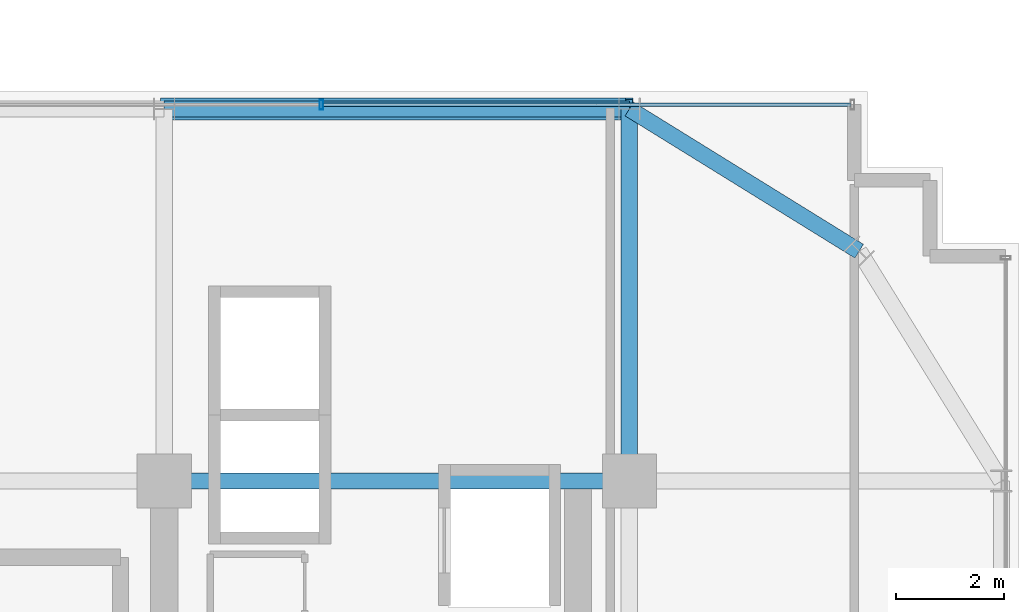
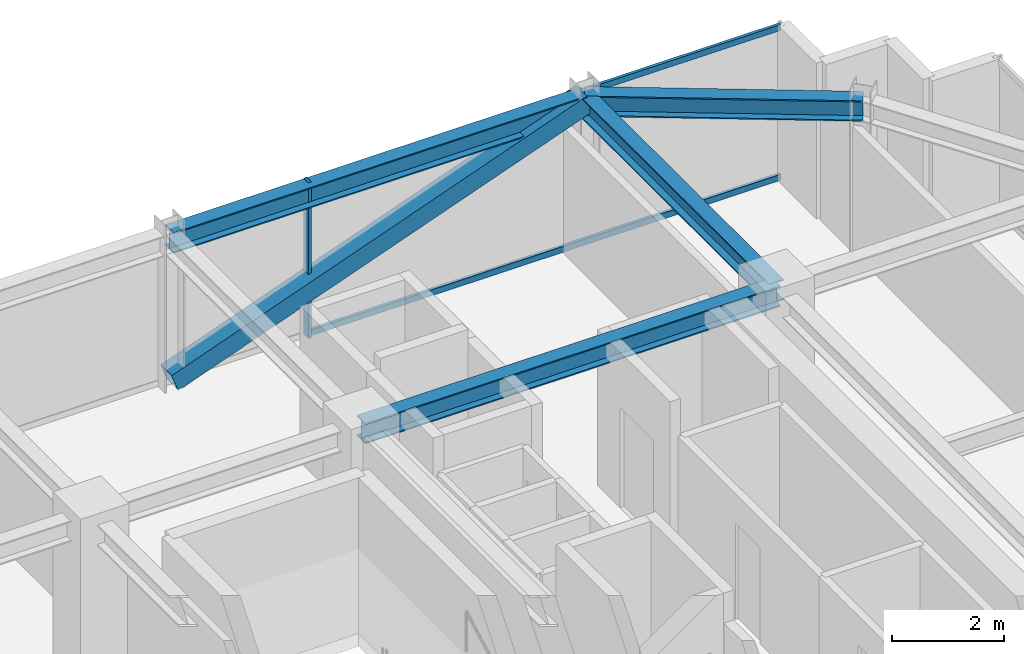
# One storey, part 25 of 36: 4 beams, 4 members, 1 element without a shape of its own.
"""IFC4 building model written with IfcOpenShell, lengths in metres."""

from ifc_helpers import new_model, si_unit, direction, frame, origin, origin_2d, place, context, subcontext, project, spatial, hollow_rectangle, i_section, extrude, source, transform, mapped, material, material_profile, profile_set, type_object, element, aggregate, save


model = new_model("IFC4")

# Units and contexts
model_context = context("Model", 3, precision=1e-05, world=origin(), true_north=direction((0.0, 1.0)))
body_context = subcontext(model_context, "Body", "Model", "MODEL_VIEW")
ifc_project = project(units=[si_unit("LENGTHUNIT", "METRE"), si_unit("AREAUNIT", "SQUARE_METRE"), si_unit("VOLUMEUNIT", "CUBIC_METRE"), si_unit("PLANEANGLEUNIT", "RADIAN"), si_unit("MASSUNIT", "GRAM", prefix="KILO")], contexts=[model_context])

# Site, building, storey
site_placement = place(None, origin())
site = spatial("IfcSite", under=ifc_project, at=site_placement, CompositionType="ELEMENT")
building_placement = place(site_placement, origin())
building = spatial("IfcBuilding", under=site, at=building_placement, Name="Nahalor Promenade Grand Hotel", CompositionType="ELEMENT")
storey_placement = place(building_placement, frame((0.0, 0.0, 212.300048828125)))
storey = spatial("IfcBuildingStorey", under=building, at=storey_placement, Name="L54", CompositionType="ELEMENT", Elevation=212.300048828125)

# Beams
ifc_material_1 = material(Name="Steel S355JR", Category="steel")
ifc_material_profile_1 = material_profile(ifc_material_1, i_section(OverallWidth=0.3, OverallDepth=0.45, WebThickness=0.014, FlangeThickness=0.026, at=origin_2d()), Name="HEB 450")
ifc_profile_set_1 = profile_set([ifc_material_profile_1], Name="Steel S355JR")
beam_type_1 = type_object("IfcBeamType", Name="Beam-Spandrel-HEB450", PredefinedType="SPANDREL", material=ifc_profile_set_1)
shared_shape_1 = source(origin(), body_context, "Body", "SweptSolid", [
    extrude(i_section(OverallWidth=0.3, OverallDepth=0.45, WebThickness=0.014, FlangeThickness=0.026, at=origin_2d()), origin(), (0.0, 0.0, 1.0), 8.60009765625),
])
beam_1_placement = place(storey_placement, frame((8.39990234375, 23.8798828125, 3.18505859375), z_axis=(1.0, 0.0, 0.0), x_axis=(0.0, 1.0, 0.0)))
element("IfcBeam", 1, at=beam_1_placement, inside=storey, type_object=beam_type_1, Name="BM-L54-SP-N-4", PredefinedType="SPANDREL", context=body_context, shape_type="MappedRepresentation", body=[
    mapped(shared_shape_1, transform((0.0, 0.0, 0.0), scale=1.0)),
])
shared_shape_2 = source(origin(), body_context, "Body", "SweptSolid", [
    extrude(i_section(OverallWidth=0.3, OverallDepth=0.45, WebThickness=0.014, FlangeThickness=0.026, at=origin_2d()), origin(), (0.0, 0.0, 1.0), 4.997802734375),
])
beam_2_placement = place(storey_placement, frame((17.0, 23.8798828125, 3.18505859375), z_axis=(0.850360908404, -0.526199891161, 0.0), x_axis=(0.526199891161, 0.850360908404, 0.0)))
element("IfcBeam", 2, at=beam_2_placement, inside=storey, type_object=beam_type_1, Name="BM-L54-SPC-NE-1", PredefinedType="SPANDREL", context=body_context, shape_type="MappedRepresentation", body=[
    mapped(shared_shape_2, transform((0.0, 0.0, 0.0), scale=1.0)),
])
ifc_material_profile_2 = material_profile(ifc_material_1, i_section(OverallWidth=0.3, OverallDepth=0.45, WebThickness=0.014, FlangeThickness=0.026, at=origin_2d()), Name="HEB 450")
ifc_profile_set_2 = profile_set([ifc_material_profile_2], Name="Steel S355JR")
beam_type_2 = type_object("IfcBeamType", Name="Beam-Girder-HEB450", PredefinedType="BEAM", material=ifc_profile_set_2)
shared_shape_3 = source(origin(), body_context, "Body", "SweptSolid", [
    extrude(i_section(OverallWidth=0.3, OverallDepth=0.45, WebThickness=0.014, FlangeThickness=0.026, at=origin_2d()), origin(), (0.0, 0.0, 1.0), 6.8798828125),
])
beam_3_placement = place(storey_placement, frame((17.0, 17.0, 3.18505859375), z_axis=(0.0, 1.0, 0.0), x_axis=(-1.0, 0.0, 0.0)))
element("IfcBeam", 3, at=beam_3_placement, inside=storey, type_object=beam_type_2, Name="BM-L54-GY-5-4", PredefinedType="BEAM", context=body_context, shape_type="MappedRepresentation", body=[
    mapped(shared_shape_3, transform((0.0, 0.0, 0.0), scale=1.0)),
])
shared_shape_4 = source(origin(), body_context, "Body", "SweptSolid", [
    extrude(i_section(OverallWidth=0.3, OverallDepth=0.45, WebThickness=0.014, FlangeThickness=0.026, at=origin_2d()), origin(), (0.0, 0.0, 1.0), 8.60009765625),
])
beam_4_placement = place(storey_placement, frame((8.39990234375, 17.0, 3.18505859375), z_axis=(1.0, 0.0, 0.0), x_axis=(0.0, 1.0, 0.0)))
element("IfcBeam", 4, at=beam_4_placement, inside=storey, type_object=beam_type_2, Name="BM-L54-GX-3-5", PredefinedType="BEAM", context=body_context, shape_type="MappedRepresentation", body=[
    mapped(shared_shape_4, transform((0.0, 0.0, 0.0), scale=1.0)),
])

# Member
ifc_material_profile_3 = material_profile(ifc_material_1, hollow_rectangle(XDim=0.4, YDim=0.4, WallThickness=0.022, at=origin_2d()), Name="SHS 400x400x22")
ifc_profile_set_3 = profile_set([ifc_material_profile_3], Name="Steel S355JR")
member_type_1 = type_object("IfcMemberType", Name="Mem-ExoBrace-SHS400", PredefinedType="BRACE", material=ifc_profile_set_3)
shared_shape_5 = source(origin(), body_context, "Body", "SweptSolid", [
    extrude(hollow_rectangle(XDim=0.4, YDim=0.4, WallThickness=0.022, at=origin_2d()), origin(), (0.0, 0.0, 1.0), 9.145263671875),
])
member_1_placement = place(storey_placement, frame((8.39990234375, 23.8798828125, 0.14990234375), z_axis=(0.940396027132, 0.0, 0.340081331676), x_axis=(0.0, 1.0, 0.0)))
element("IfcMember", 5, at=member_1_placement, inside=storey, type_object=member_type_1, Name="EXO-L54-N-1", PredefinedType="BRACE", context=body_context, shape_type="MappedRepresentation", body=[
    mapped(shared_shape_5, transform((0.0, 0.0, 0.0), scale=1.0)),
])

# Curtain wall, members
ifc_material_2 = material(Name="Anodised Bronze Aluminium EN AW-6063 T6", Category="aluminium")
curtain_wall_type = type_object("IfcCurtainWallType", Name="CW2 Typical Hotel Flush Bronze Unitised Curtain Wall", PredefinedType="USERDEFINED", material=ifc_material_2)
curtain_wall_placement = place(storey_placement, origin())
curtain_wall = element("IfcCurtainWall", 6, at=curtain_wall_placement, inside=storey, type_object=curtain_wall_type, Name="L54 Curtain Wall CW-L54-N-3", ObjectType="UNITISED_CURTAIN_WALL", PredefinedType="USERDEFINED")
ifc_material_profile_4 = material_profile(ifc_material_2, hollow_rectangle(XDim=0.065, YDim=0.13, WallThickness=0.004, at=origin_2d()), Name="CWT 65x130x4")
ifc_profile_set_4 = profile_set([ifc_material_profile_4], Name="Anodised Bronze Aluminium EN AW-6063 T6")
member_type_2 = type_object("IfcMemberType", Name="CWT2 Typical Bronze Transom 65x130", PredefinedType="USERDEFINED", material=ifc_profile_set_4)
shared_shape_6 = source(origin(), body_context, "Body", "SweptSolid", [
    extrude(hollow_rectangle(XDim=0.065, YDim=0.13, WallThickness=0.004, at=origin_2d()), origin(), (0.0, 0.0, 1.0), 9.755859375),
])
member_2_placement = place(storey_placement, frame((11.339111328125, 23.9599609375, 0.06494140625), z_axis=(1.0, 0.0, 0.0), x_axis=(0.0, 1.0, 0.0)))
member_2 = element("IfcMember", 7, at=member_2_placement, type_object=member_type_2, Name="CW-L54-N-3 Transom 2-0", ObjectType="TRANSOM", PredefinedType="USERDEFINED", context=body_context, shape_type="MappedRepresentation", body=[
    mapped(shared_shape_6, transform((0.0, 0.0, 0.0), scale=1.0)),
])
member_3_placement = place(storey_placement, frame((11.339111328125, 23.9599609375, 3.344970703125), z_axis=(1.0, 0.0, 0.0), x_axis=(0.0, 1.0, 0.0)))
member_3 = element("IfcMember", 8, at=member_3_placement, type_object=member_type_2, Name="CW-L54-N-3 Transom 2-1", ObjectType="TRANSOM", PredefinedType="USERDEFINED", context=body_context, shape_type="MappedRepresentation", body=[
    mapped(shared_shape_6, transform((0.0, 0.0, 0.0), scale=1.0)),
])
ifc_material_profile_5 = material_profile(ifc_material_2, hollow_rectangle(XDim=0.065, YDim=0.18, WallThickness=0.004, at=origin_2d()), Name="CWM 65x180x4")
ifc_profile_set_5 = profile_set([ifc_material_profile_5], Name="Anodised Bronze Aluminium EN AW-6063 T6")
member_type_3 = type_object("IfcMemberType", Name="CWM2 Typical Bronze Mullion 65x180", PredefinedType="MULLION", material=ifc_profile_set_5)
shared_shape_7 = source(origin(), body_context, "Body", "SweptSolid", [
    extrude(hollow_rectangle(XDim=0.065, YDim=0.18, WallThickness=0.004, at=origin_2d()), origin(), (0.0, 0.0, 1.0), 3.409912109375),
])
member_4_placement = place(storey_placement, frame((11.306640625, 23.9599609375, 0.0), z_axis=(0.0, 0.0, 1.0), x_axis=(1.0, 0.0, 0.0)))
member_4 = element("IfcMember", 9, at=member_4_placement, type_object=member_type_3, Name="CW-L54-N-3 Mullion 2", PredefinedType="MULLION", context=body_context, shape_type="MappedRepresentation", body=[
    mapped(shared_shape_7, transform((0.0, 0.0, 0.0), scale=1.0)),
])
aggregate(curtain_wall, [member_4, member_2, member_3])

save(model, "model.ifc")
